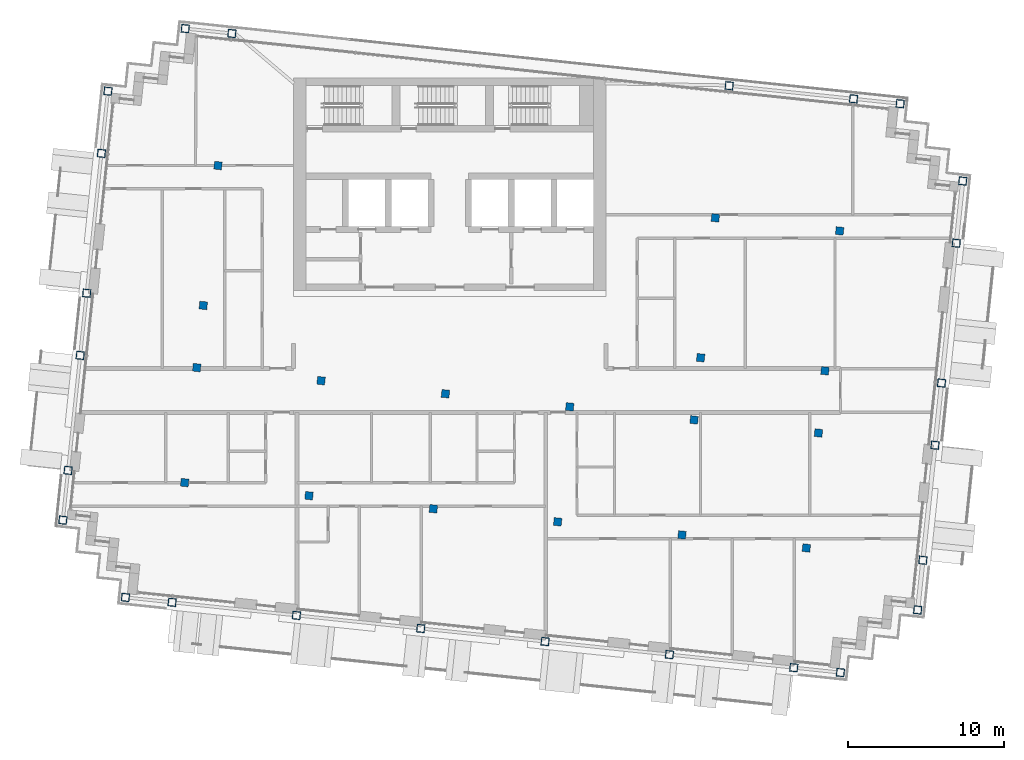
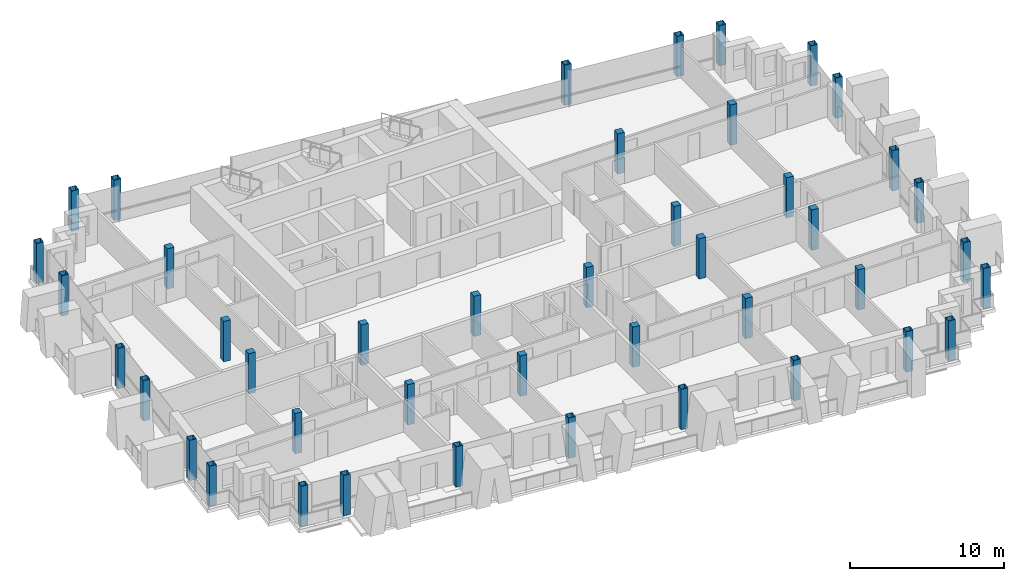
# One storey, part 1 of 16: 43 columns.
"""IFC4 building model written with IfcOpenShell, lengths in metres."""

from ifc_helpers import new_model, si_unit, direction, frame, origin, origin_2d, place, context, subcontext, project, spatial, rectangle, hollow_rectangle, extrude, material, material_profile, profile_set, type_object, element, save


model = new_model("IFC4")

# Units and contexts
model_context = context("Model", 3, precision=1e-05, world=origin(), true_north=direction((0.0, 1.0)))
body_context = subcontext(model_context, "Body", "Model", "MODEL_VIEW")
ifc_project = project(units=[si_unit("LENGTHUNIT", "METRE"), si_unit("AREAUNIT", "SQUARE_METRE"), si_unit("VOLUMEUNIT", "CUBIC_METRE"), si_unit("PLANEANGLEUNIT", "RADIAN"), si_unit("MASSUNIT", "GRAM", prefix="KILO")], contexts=[model_context])

# Site, building, storey
site_placement = place(None, origin())
site = spatial("IfcSite", under=ifc_project, at=site_placement, CompositionType="ELEMENT")
building_placement = place(site_placement, origin())
building = spatial("IfcBuilding", under=site, at=building_placement, Name="Vidyagriha Tower", CompositionType="ELEMENT")
storey_placement = place(building_placement, frame((0.0, 0.0, 278.699951171875)))
storey = spatial("IfcBuildingStorey", under=building, at=storey_placement, Name="L73", CompositionType="ELEMENT", Elevation=278.699951171875)

# Columns
ifc_material_1 = material(Name="Steel ASTM A572 Grade 50", Category="steel")
ifc_material_profile_1 = material_profile(ifc_material_1, hollow_rectangle(XDim=0.5, YDim=0.5, WallThickness=0.02490234375, at=origin_2d()), Name="BOX 500x500x25")
ifc_profile_set_1 = profile_set([ifc_material_profile_1], Name="Steel ASTM A572 Grade 50")
column_type_1 = type_object("IfcColumnType", Name="Exoskeleton column BOX 500x500x25", PredefinedType="COLUMN", material=ifc_profile_set_1)
for number, where, z_axis, x_axis, name in (
    (1, (-20.751953125, -13.24267578125, 0.0), (0.0, 0.0, 1.0), (0.994521895368, -0.104528463268, 0.0), "st-col-L73-B6-001"),
    (2, (-17.768310546875, -13.55615234375, 0.0), (0.0, 0.0, 1.0), (0.994521895368, -0.104528463268, 0.0), "st-col-L73-B6-002"),
    (3, (-9.812255859375, -14.392333984375, 0.0), (0.0, 0.0, 1.0), (0.994521895368, -0.104528463268, 0.0), "st-col-L73-B6-003"),
    (4, (-1.856201171875, -15.228515625, 0.0), (0.0, 0.0, 1.0), (0.994521895368, -0.104528463268, 0.0), "st-col-L73-B6-004"),
    (5, (6.10009765625, -16.06494140625, 0.0), (0.0, 0.0, 1.0), (0.994521895368, -0.104528463268, 0.0), "st-col-L73-B6-005"),
    (6, (14.056396484375, -16.901123046875, 0.0), (0.0, 0.0, 1.0), (0.994521895368, -0.104528463268, 0.0), "st-col-L73-B6-006"),
    (7, (22.012451171875, -17.7373046875, 0.0), (0.0, 0.0, 1.0), (0.994521895368, -0.104528463268, 0.0), "st-col-L73-B6-007"),
    (8, (24.99609375, -18.05078125, 0.0), (0.0, 0.0, 1.0), (0.994521895368, -0.104528463268, 0.0), "st-col-L73-B6-008"),
    (9, (-24.757080078125, -8.296875, 0.0), (0.0, 0.0, 1.0), (0.994521895368, -0.104528463268, 0.0), "st-col-L73-B6-009"),
    (10, (29.941650390625, -14.0458984375, 0.0), (0.0, 0.0, 1.0), (0.994521895368, -0.104528463268, 0.0), "st-col-L73-B6-010"),
    (11, (-24.422607421875, -5.114501953125, 0.0), (0.0, 0.0, 1.0), (0.994521895368, -0.104528463268, 0.0), "st-col-L73-B6-011"),
    (12, (30.276123046875, -10.863525390625, 0.0), (0.0, 0.0, 1.0), (0.994521895368, -0.104528463268, 0.0), "st-col-L73-B6-018"),
    (13, (-23.64892578125, 2.2451171875, 0.0), (0.0, 0.0, 1.0), (0.994521895368, -0.104528463268, 0.0), "st-col-L73-B6-019"),
    (14, (31.0498046875, -3.50390625, 0.0), (0.0, 0.0, 1.0), (0.994521895368, -0.104528463268, 0.0), "st-col-L73-B6-026"),
    (15, (-23.23095703125, 6.22314453125, 0.0), (0.0, 0.0, 1.0), (0.994521895368, -0.104528463268, 0.0), "st-col-L73-B6-027"),
    (16, (31.4677734375, 0.47412109375, 0.0), (0.0, 0.0, 1.0), (0.994521895368, -0.104528463268, 0.0), "st-col-L73-B6-031"),
    (17, (-22.2900390625, 15.173828125, 0.0), (0.0, 0.0, 1.0), (0.994521895368, -0.104528463268, 0.0), "st-col-L73-B6-032"),
    (18, (32.40869140625, 9.4248046875, 0.0), (0.0, 0.0, 1.0), (0.994521895368, -0.104528463268, 0.0), "st-col-L73-B6-036"),
    (19, (-21.8720703125, 19.15185546875, 0.0), (0.0, 0.0, 1.0), (0.994521895368, -0.104528463268, 0.0), "st-col-L73-B6-037"),
    (20, (32.82666015625, 13.40283203125, 0.0), (0.0, 0.0, 1.0), (0.994521895368, -0.104528463268, 0.0), "st-col-L73-B6-038"),
    (21, (-16.92626953125, 23.156982421875, 0.0), (0.0, 0.0, 1.0), (0.994521895368, -0.104528463268, 0.0), "st-col-L73-B6-039"),
    (22, (-13.942626953125, 22.84326171875, 0.0), (0.0, 0.0, 1.0), (0.994521895368, -0.104528463268, 0.0), "st-col-L73-B6-040"),
    (23, (17.882080078125, 19.498291015625, 0.0), (0.0, 0.0, 1.0), (0.994521895368, -0.104528463268, 0.0), "st-col-L73-B6-041"),
    (24, (25.838134765625, 18.662109375, 0.0), (0.0, 0.0, 1.0), (0.994521895368, -0.104528463268, 0.0), "st-col-L73-B6-042"),
    (25, (28.82177734375, 18.3486328125, 0.0), (0.0, 0.0, 1.0), (0.994521895368, -0.104528463268, 0.0), "st-col-L73-B6-043"),
):
    element("IfcColumn", number, at=place(storey_placement, frame(where, z_axis=z_axis, x_axis=x_axis)), inside=storey, type_object=column_type_1, Name=name, PredefinedType="COLUMN", context=body_context, shape_type="SweptSolid", body=[
        extrude(hollow_rectangle(XDim=0.5, YDim=0.5, WallThickness=0.02490234375, at=origin_2d()), origin(), (0.0, 0.0, 1.0), 3.199951171875),
    ])
ifc_material_2 = material(Name="Concrete C60/75", Category="concrete")
ifc_material_profile_2 = material_profile(ifc_material_2, rectangle(XDim=0.5, YDim=0.5, at=origin_2d()), Name="RC 500x500")
ifc_profile_set_2 = profile_set([ifc_material_profile_2], Name="Concrete C60/75")
column_type_2 = type_object("IfcColumnType", Name="Frame column RC 500x500", PredefinedType="COLUMN", material=ifc_profile_set_2)
for number, where, z_axis, x_axis, name in (
    (26, (-16.963623046875, -5.8984375, 0.0), (0.0, 0.0, 1.0), (0.994521895368, -0.104528463268, 0.0), "st-col-L73-B6-012"),
    (27, (-9.00732421875, -6.734619140625, 0.0), (0.0, 0.0, 1.0), (0.994521895368, -0.104528463268, 0.0), "st-col-L73-B6-013"),
    (28, (-1.05126953125, -7.57080078125, 0.0), (0.0, 0.0, 1.0), (0.994521895368, -0.104528463268, 0.0), "st-col-L73-B6-014"),
    (29, (6.905029296875, -8.406982421875, 0.0), (0.0, 0.0, 1.0), (0.994521895368, -0.104528463268, 0.0), "st-col-L73-B6-015"),
    (30, (14.861083984375, -9.243408203125, 0.0), (0.0, 0.0, 1.0), (0.994521895368, -0.104528463268, 0.0), "st-col-L73-B6-016"),
    (31, (22.8173828125, -10.07958984375, 0.0), (0.0, 0.0, 1.0), (0.994521895368, -0.104528463268, 0.0), "st-col-L73-B6-017"),
    (32, (-16.190185546875, 1.461181640625, 0.0), (0.0, 0.0, 1.0), (0.994521895368, -0.104528463268, 0.0), "st-col-L73-B6-020"),
    (33, (-8.23388671875, 0.625, 0.0), (0.0, 0.0, 1.0), (0.994521895368, -0.104528463268, 0.0), "st-col-L73-B6-021"),
    (34, (-0.277587890625, -0.21142578125, 0.0), (0.0, 0.0, 1.0), (0.994521895368, -0.104528463268, 0.0), "st-col-L73-B6-022"),
    (35, (7.678466796875, -1.047607421875, 0.0), (0.0, 0.0, 1.0), (0.994521895368, -0.104528463268, 0.0), "st-col-L73-B6-023"),
    (36, (15.634521484375, -1.8837890625, 0.0), (0.0, 0.0, 1.0), (0.994521895368, -0.104528463268, 0.0), "st-col-L73-B6-024"),
    (37, (23.5908203125, -2.72021484375, 0.0), (0.0, 0.0, 1.0), (0.994521895368, -0.104528463268, 0.0), "st-col-L73-B6-025"),
    (38, (-15.77197265625, 5.439208984375, 0.0), (0.0, 0.0, 1.0), (0.994521895368, -0.104528463268, 0.0), "st-col-L73-B6-028"),
    (39, (16.052734375, 2.09423828125, 0.0), (0.0, 0.0, 1.0), (0.994521895368, -0.104528463268, 0.0), "st-col-L73-B6-029"),
    (40, (24.0087890625, 1.258056640625, 0.0), (0.0, 0.0, 1.0), (0.994521895368, -0.104528463268, 0.0), "st-col-L73-B6-030"),
    (41, (-14.831298828125, 14.389892578125, 0.0), (0.0, 0.0, 1.0), (0.994521895368, -0.104528463268, 0.0), "st-col-L73-B6-033"),
    (42, (16.993408203125, 11.044921875, 0.0), (0.0, 0.0, 1.0), (0.994521895368, -0.104528463268, 0.0), "st-col-L73-B6-034"),
    (43, (24.94970703125, 10.208740234375, 0.0), (0.0, 0.0, 1.0), (0.994521895368, -0.104528463268, 0.0), "st-col-L73-B6-035"),
):
    element("IfcColumn", number, at=place(storey_placement, frame(where, z_axis=z_axis, x_axis=x_axis)), inside=storey, type_object=column_type_2, Name=name, PredefinedType="COLUMN", context=body_context, shape_type="SweptSolid", body=[
        extrude(rectangle(XDim=0.5, YDim=0.5, at=origin_2d()), origin(), (0.0, 0.0, 1.0), 3.199951171875),
    ])

save(model, "model.ifc")
